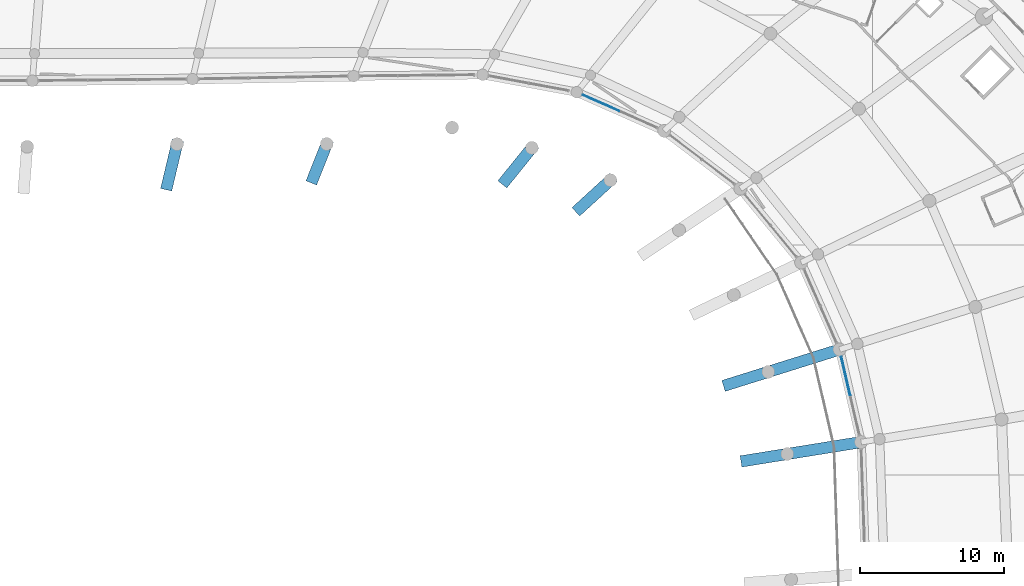
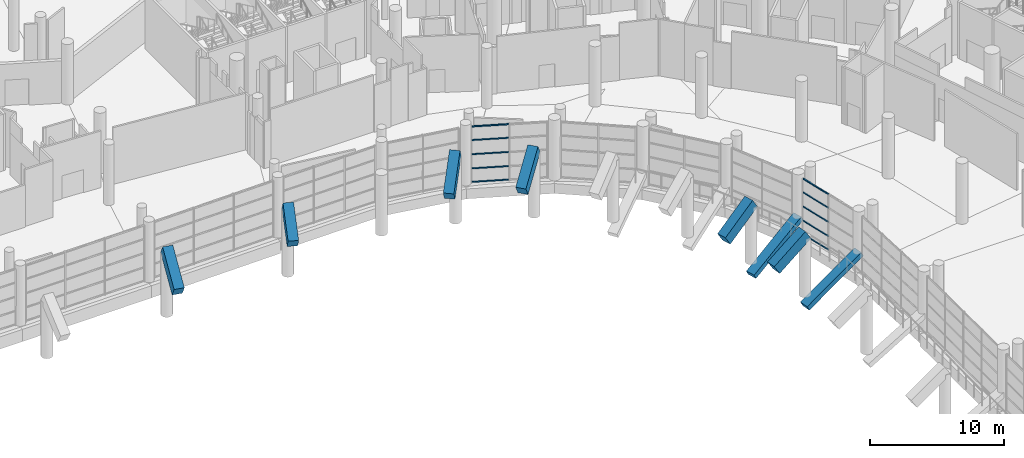
# One storey, part 93 of 271: 10 members, 8 beams, 2 elements without a shape of their own.
"""IFC4 building model written with IfcOpenShell, lengths in metres."""

from ifc_helpers import new_model, si_unit, direction, frame, origin, origin_2d, place, context, subcontext, project, spatial, rectangle, extrude, material, layer, layer_set, material_profile, profile_set, type_object, element, aggregate, save


model = new_model("IFC4")

# Units and contexts
model_context = context("Model", 3, precision=1e-05, world=origin(), true_north=direction((0.0, 1.0)))
body_context = subcontext(model_context, "Body", "Model", "MODEL_VIEW")
ifc_project = project(units=[si_unit("LENGTHUNIT", "METRE"), si_unit("AREAUNIT", "SQUARE_METRE"), si_unit("VOLUMEUNIT", "CUBIC_METRE"), si_unit("PLANEANGLEUNIT", "RADIAN"), si_unit("MASSUNIT", "GRAM", prefix="KILO")], contexts=[model_context])

# Site, building, storey
site_placement = place(None, origin())
site = spatial("IfcSite", under=ifc_project, at=site_placement, CompositionType="ELEMENT")
building_placement = place(site_placement, origin())
building = spatial("IfcBuilding", under=site, at=building_placement, Name="Meseta Stadium", CompositionType="ELEMENT")
storey_placement = place(building_placement, frame((0.0, 0.0, 6.5)))
storey = spatial("IfcBuildingStorey", under=building, at=storey_placement, Name="L01", CompositionType="ELEMENT", Elevation=6.5)

# Curtain wall, members
ifc_material_1 = material(Name="Aluminium", Category="aluminium")
ifc_layer = layer(ifc_material_1, 0.199951171875)
ifc_layer_set = layer_set([ifc_layer], Name="Club glazing curtain wall")
curtain_wall_type = type_object("IfcCurtainWallType", Name="Club glazing curtain wall", PredefinedType="NOTDEFINED", material=ifc_layer_set)
curtain_wall_1_placement = place(storey_placement, origin())
curtain_wall_1 = element("IfcCurtainWall", 1, at=curtain_wall_1_placement, inside=storey, type_object=curtain_wall_type, Name="Club glazing bay 09", PredefinedType="NOTDEFINED")
ifc_material_2 = material(Name="Aluminium", Category="aluminium")
ifc_material_profile_1 = material_profile(ifc_material_2, rectangle(XDim=0.06005859375, YDim=0.1201171875, at=origin_2d()), Name="CW 60x120")
ifc_profile_set_1 = profile_set([ifc_material_profile_1], Name="Aluminium")
member_type = type_object("IfcMemberType", Name="CW transom 60x120", PredefinedType="USERDEFINED", material=ifc_profile_set_1)
member_1_placement = place(storey_placement, frame((62.4638671875, 53.5234375, 0.06005859375), z_axis=(-0.226064707023, 0.974112287285, 0.0), x_axis=(-0.974112287285, -0.226064707023, 0.0)))
member_1 = element("IfcMember", 2, at=member_1_placement, type_object=member_type, Name="CWC transom 2.1", ObjectType="TRANSOM", PredefinedType="USERDEFINED", context=body_context, shape_type="SweptSolid", body=[
    extrude(rectangle(XDim=0.06005859375, YDim=0.1201171875, at=origin_2d()), origin(), (0.0, 0.0, 1.0), 2.736572265625),
])
member_2_placement = place(storey_placement, frame((62.4638671875, 53.5234375, 1.28759765625), z_axis=(-0.226064707023, 0.974112287285, 0.0), x_axis=(-0.974112287285, -0.226064707023, 0.0)))
member_2 = element("IfcMember", 3, at=member_2_placement, type_object=member_type, Name="CWC transom 2.2", ObjectType="TRANSOM", PredefinedType="USERDEFINED", context=body_context, shape_type="SweptSolid", body=[
    extrude(rectangle(XDim=0.06005859375, YDim=0.1201171875, at=origin_2d()), origin(), (0.0, 0.0, 1.0), 2.736572265625),
])
member_3_placement = place(storey_placement, frame((62.4638671875, 53.5234375, 2.574951171875), z_axis=(-0.226064707023, 0.974112287285, 0.0), x_axis=(-0.974112287285, -0.226064707023, 0.0)))
member_3 = element("IfcMember", 4, at=member_3_placement, type_object=member_type, Name="CWC transom 2.3", ObjectType="TRANSOM", PredefinedType="USERDEFINED", context=body_context, shape_type="SweptSolid", body=[
    extrude(rectangle(XDim=0.06005859375, YDim=0.1201171875, at=origin_2d()), origin(), (0.0, 0.0, 1.0), 2.736572265625),
])
member_4_placement = place(storey_placement, frame((62.4638671875, 53.5234375, 3.862548828125), z_axis=(-0.226064707023, 0.974112287285, 0.0), x_axis=(-0.974112287285, -0.226064707023, 0.0)))
member_4 = element("IfcMember", 5, at=member_4_placement, type_object=member_type, Name="CWC transom 2.4", ObjectType="TRANSOM", PredefinedType="USERDEFINED", context=body_context, shape_type="SweptSolid", body=[
    extrude(rectangle(XDim=0.06005859375, YDim=0.1201171875, at=origin_2d()), origin(), (0.0, 0.0, 1.0), 2.736572265625),
])
member_5_placement = place(storey_placement, frame((62.4638671875, 53.5234375, 5.090087890625), z_axis=(-0.226064707023, 0.974112287285, 0.0), x_axis=(-0.974112287285, -0.226064707023, 0.0)))
member_5 = element("IfcMember", 6, at=member_5_placement, type_object=member_type, Name="CWC transom 2.5", ObjectType="TRANSOM", PredefinedType="USERDEFINED", context=body_context, shape_type="SweptSolid", body=[
    extrude(rectangle(XDim=0.06005859375, YDim=0.1201171875, at=origin_2d()), origin(), (0.0, 0.0, 1.0), 2.736572265625),
])
aggregate(curtain_wall_1, [member_1, member_2, member_3, member_4, member_5])

curtain_wall_2_placement = place(storey_placement, origin())
curtain_wall_2 = element("IfcCurtainWall", 7, at=curtain_wall_2_placement, inside=storey, type_object=curtain_wall_type, Name="Club glazing bay 13", PredefinedType="NOTDEFINED")
member_6_placement = place(storey_placement, frame((46.390625, 73.30810546875, 0.06005859375), z_axis=(-0.914545969516, 0.404481976905, 0.0), x_axis=(-0.404481976905, -0.914545969516, 0.0)))
member_6 = element("IfcMember", 8, at=member_6_placement, type_object=member_type, Name="CWC transom 2.1", ObjectType="TRANSOM", PredefinedType="USERDEFINED", context=body_context, shape_type="SweptSolid", body=[
    extrude(rectangle(XDim=0.06005859375, YDim=0.1201171875, at=origin_2d()), origin(), (0.0, 0.0, 1.0), 2.777099609375),
])
member_7_placement = place(storey_placement, frame((46.390625, 73.30810546875, 1.28759765625), z_axis=(-0.914545969516, 0.404481976905, 0.0), x_axis=(-0.404481976905, -0.914545969516, 0.0)))
member_7 = element("IfcMember", 9, at=member_7_placement, type_object=member_type, Name="CWC transom 2.2", ObjectType="TRANSOM", PredefinedType="USERDEFINED", context=body_context, shape_type="SweptSolid", body=[
    extrude(rectangle(XDim=0.06005859375, YDim=0.1201171875, at=origin_2d()), origin(), (0.0, 0.0, 1.0), 2.777099609375),
])
member_8_placement = place(storey_placement, frame((46.390625, 73.30810546875, 2.574951171875), z_axis=(-0.914545969516, 0.404481976905, 0.0), x_axis=(-0.404481976905, -0.914545969516, 0.0)))
member_8 = element("IfcMember", 10, at=member_8_placement, type_object=member_type, Name="CWC transom 2.3", ObjectType="TRANSOM", PredefinedType="USERDEFINED", context=body_context, shape_type="SweptSolid", body=[
    extrude(rectangle(XDim=0.06005859375, YDim=0.1201171875, at=origin_2d()), origin(), (0.0, 0.0, 1.0), 2.777099609375),
])
member_9_placement = place(storey_placement, frame((46.390625, 73.30810546875, 3.862548828125), z_axis=(-0.914545969516, 0.404481976905, 0.0), x_axis=(-0.404481976905, -0.914545969516, 0.0)))
member_9 = element("IfcMember", 11, at=member_9_placement, type_object=member_type, Name="CWC transom 2.4", ObjectType="TRANSOM", PredefinedType="USERDEFINED", context=body_context, shape_type="SweptSolid", body=[
    extrude(rectangle(XDim=0.06005859375, YDim=0.1201171875, at=origin_2d()), origin(), (0.0, 0.0, 1.0), 2.777099609375),
])
member_10_placement = place(storey_placement, frame((46.390625, 73.30810546875, 5.090087890625), z_axis=(-0.914545969516, 0.404481976905, 0.0), x_axis=(-0.404481976905, -0.914545969516, 0.0)))
member_10 = element("IfcMember", 12, at=member_10_placement, type_object=member_type, Name="CWC transom 2.5", ObjectType="TRANSOM", PredefinedType="USERDEFINED", context=body_context, shape_type="SweptSolid", body=[
    extrude(rectangle(XDim=0.06005859375, YDim=0.1201171875, at=origin_2d()), origin(), (0.0, 0.0, 1.0), 2.777099609375),
])
aggregate(curtain_wall_2, [member_6, member_7, member_8, member_9, member_10])

# Beams
ifc_material_3 = material(Name="Concrete C40/50", Category="concrete")
ifc_material_profile_2 = material_profile(ifc_material_3, rectangle(XDim=0.800048828125, YDim=0.449951171875, at=origin_2d()), Name="RC 800x450")
ifc_profile_set_2 = profile_set([ifc_material_profile_2], Name="Concrete C40/50")
beam_type_1 = type_object("IfcBeamType", Name="RC raker lower 800x450", PredefinedType="USERDEFINED", material=ifc_profile_set_2)
beam_1_placement = place(storey_placement, frame((58.084228515625, 49.4462890625, -1.083251953125), z_axis=(0.879673184359, 0.141641228886, 0.453996531925), x_axis=(-0.158968215879, 0.98728370104, 0.0)))
element("IfcBeam", 13, at=beam_1_placement, inside=storey, type_object=beam_type_1, Name="Raker lower frame 9 lower tier", ObjectType="RAKER", PredefinedType="USERDEFINED", context=body_context, shape_type="SweptSolid", body=[
    extrude(rectangle(XDim=0.800048828125, YDim=0.449951171875, at=origin_2d()), origin(), (0.0, 0.0, 1.0), 5.836181640625),
])
beam_2_placement = place(storey_placement, frame((56.76123046875, 55.159912109375, -1.231689453125), z_axis=(0.85050096768, 0.266649880243, 0.453371751813), x_axis=(-0.299162394059, 0.954202212312, 0.0)))
element("IfcBeam", 14, at=beam_2_placement, inside=storey, type_object=beam_type_1, Name="Raker lower frame 10 lower tier", ObjectType="RAKER", PredefinedType="USERDEFINED", context=body_context, shape_type="SweptSolid", body=[
    extrude(rectangle(XDim=0.800048828125, YDim=0.449951171875, at=origin_2d()), origin(), (0.0, 0.0, 1.0), 5.834228515625),
])
ifc_material_4 = material(Name="Concrete C40/50", Category="concrete")
ifc_material_profile_3 = material_profile(ifc_material_4, rectangle(XDim=0.800048828125, YDim=1.0, at=origin_2d()), Name="RC 800x1000")
ifc_profile_set_3 = profile_set([ifc_material_profile_3], Name="Concrete C40/50")
beam_type_2 = type_object("IfcBeamType", Name="RC raker upper front 800x1000", PredefinedType="USERDEFINED", material=ifc_profile_set_3)
beam_3_placement = place(storey_placement, frame((55.12255859375, 48.96923828125, 3.73779296875), z_axis=(0.837409269192, 0.134885641085, 0.529671199614), x_axis=(-0.1590251774, 0.987274527653, 0.0)))
element("IfcBeam", 15, at=beam_3_placement, inside=storey, type_object=beam_type_2, Name="Raker upper front frame 9 upper tier", ObjectType="RAKER", PredefinedType="USERDEFINED", context=body_context, shape_type="SweptSolid", body=[
    extrude(rectangle(XDim=0.800048828125, YDim=1.0, at=origin_2d()), origin(), (0.0, 0.0, 1.0), 3.53662109375),
])
for number, where, z_axis, x_axis, name in (
    (16, (53.898681640625, 54.26220703125, 3.57470703125), (0.80976492274, 0.253945042296, 0.528954332048), (-0.29923402526, 0.954179751476, 0.0), "Raker upper front frame 10 upper tier"),
    (17, (43.564208984375, 66.47412109375, 4.15869140625), (0.625964604267, 0.572995181112, 0.529003626289), (-0.675208545537, 0.737626884024, 0.0), "Raker upper front frame 13 upper tier"),
    (18, (38.423583984375, 68.41357421875, 4.3076171875), (0.533019874974, 0.660439111736, 0.528876159958), (-0.778178252759, 0.628043475352, 0.0), "Raker upper front frame 14 upper tier"),
):
    element("IfcBeam", number, at=place(storey_placement, frame(where, z_axis=z_axis, x_axis=x_axis)), inside=storey, type_object=beam_type_2, Name=name, ObjectType="RAKER", PredefinedType="USERDEFINED", context=body_context, shape_type="SweptSolid", body=[
        extrude(rectangle(XDim=0.800048828125, YDim=1.0, at=origin_2d()), origin(), (0.0, 0.0, 1.0), 3.53515625),
    ])
beam_4_placement = place(storey_placement, frame((25.060791015625, 68.552978515625, 4.59375), z_axis=(0.313018455476, 0.788765825572, 0.529025442622), x_axis=(-0.929484188921, 0.368861955948, 0.0)))
element("IfcBeam", 19, at=beam_4_placement, inside=storey, type_object=beam_type_2, Name="Raker upper front frame 16 upper tier", ObjectType="RAKER", PredefinedType="USERDEFINED", context=body_context, shape_type="SweptSolid", body=[
    extrude(rectangle(XDim=0.800048828125, YDim=1.0, at=origin_2d()), origin(), (0.0, 0.0, 1.0), 3.12060546875),
])
beam_5_placement = place(storey_placement, frame((14.92626953125, 68.09033203125, 4.0654296875), z_axis=(0.196559900725, 0.825606835303, 0.528902220574), x_axis=(-0.972809707254, 0.231605858026, 0.0)))
element("IfcBeam", 20, at=beam_5_placement, inside=storey, type_object=beam_type_2, Name="Raker upper front frame 17 upper tier", ObjectType="RAKER", PredefinedType="USERDEFINED", context=body_context, shape_type="SweptSolid", body=[
    extrude(rectangle(XDim=0.800048828125, YDim=1.0, at=origin_2d()), origin(), (0.0, 0.0, 1.0), 3.534912109375),
])

save(model, "model.ifc")
